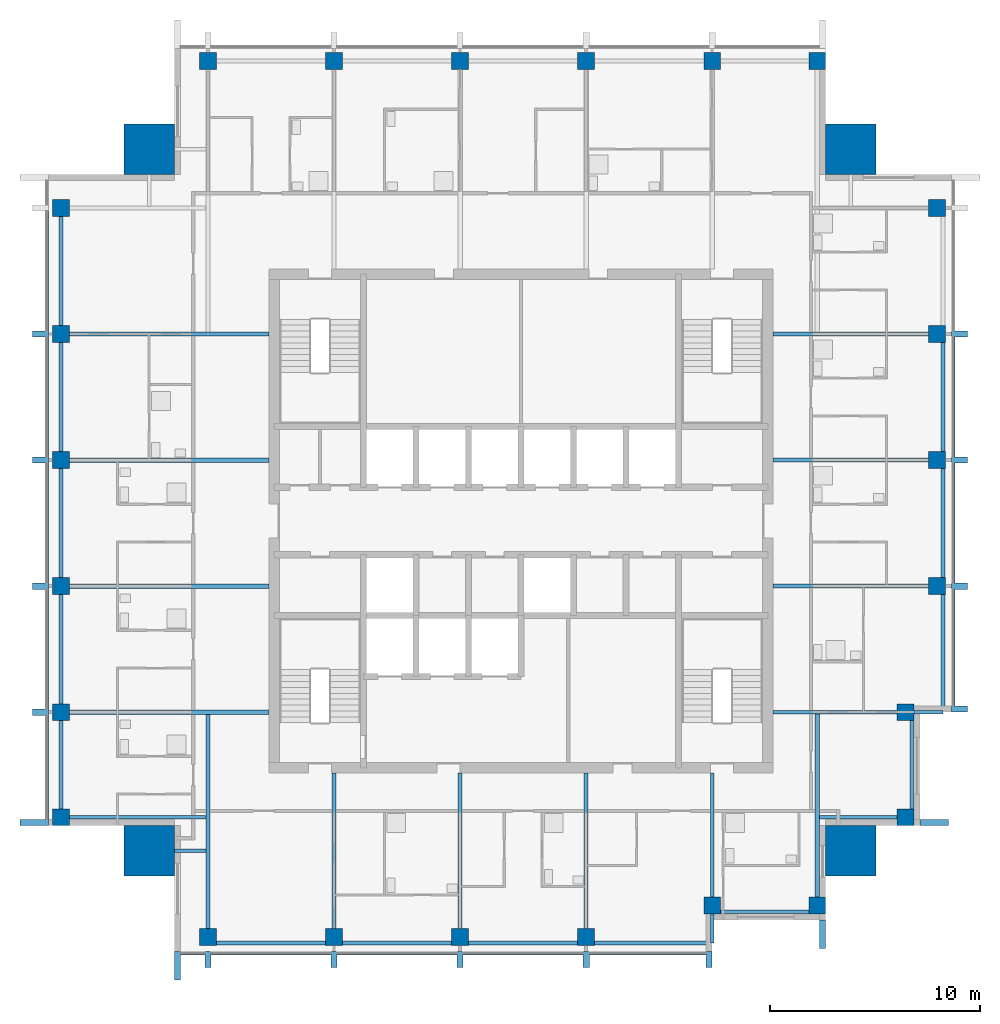
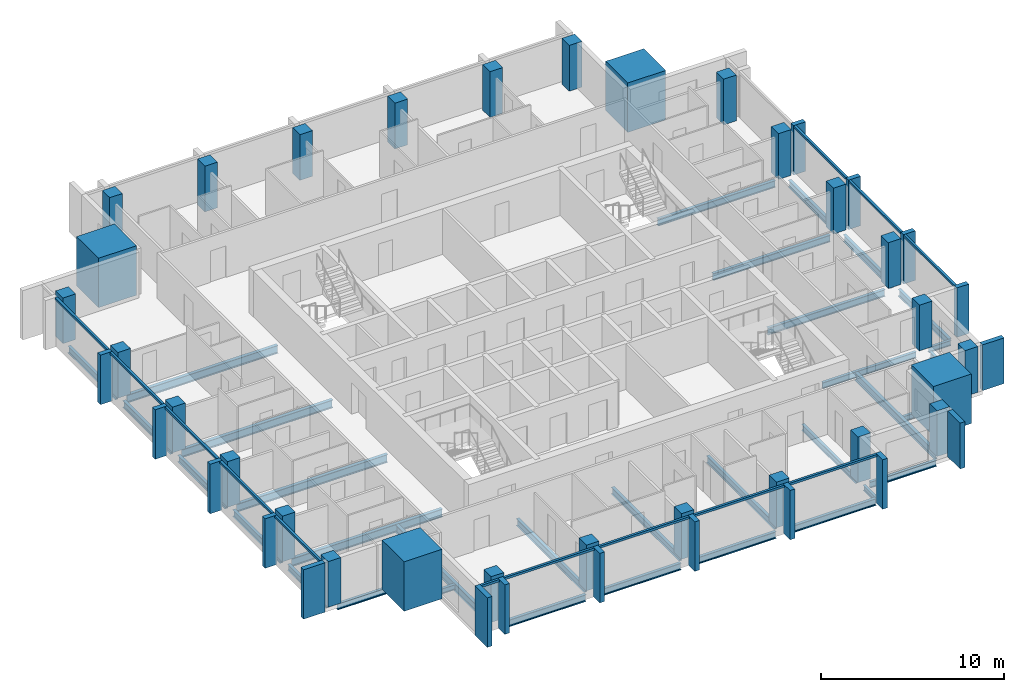
# One storey, part 1 of 9: 33 beams, 30 members, 28 columns, 3 elements without a shape of their own.
"""IFC4 building model written with IfcOpenShell, lengths in metres."""

from ifc_helpers import new_model, si_unit, direction, frame, origin, origin_2d, place, context, subcontext, project, spatial, rectangle, i_section, extrude, material, material_profile, profile_set, type_object, element, aggregate, save


model = new_model("IFC4")

# Units and contexts
model_context = context("Model", 3, precision=1e-05, world=origin(), true_north=direction((0.0, 1.0)))
body_context = subcontext(model_context, "Body", "Model", "MODEL_VIEW")
ifc_project = project(units=[si_unit("LENGTHUNIT", "METRE"), si_unit("AREAUNIT", "SQUARE_METRE"), si_unit("VOLUMEUNIT", "CUBIC_METRE"), si_unit("PLANEANGLEUNIT", "RADIAN"), si_unit("MASSUNIT", "GRAM", prefix="KILO")], contexts=[model_context])

# Site, building, storey
site_placement = place(None, origin())
site = spatial("IfcSite", under=ifc_project, at=site_placement, CompositionType="ELEMENT")
building_placement = place(site_placement, origin())
building = spatial("IfcBuilding", under=site, at=building_placement, Name="Amberfall Residences", CompositionType="ELEMENT")
storey_placement = place(building_placement, frame((0.0, 0.0, 242.199951171875)))
storey = spatial("IfcBuildingStorey", under=building, at=storey_placement, Name="L64", CompositionType="ELEMENT", Elevation=242.199951171875)

# Columns
ifc_material_1 = material(Name="Concrete C50", Category="concrete")
ifc_material_profile_1 = material_profile(ifc_material_1, rectangle(XDim=0.800048828125, YDim=0.800048828125, at=origin_2d()), Name="Column 800 x 800 C50")
ifc_profile_set_1 = profile_set([ifc_material_profile_1], Name="Concrete C50")
column_type_1 = type_object("IfcColumnType", Name="Column 800 x 800 C50", PredefinedType="COLUMN", material=ifc_profile_set_1)
for number, where, z_axis, x_axis, name in (
    (1, (59.60009765625, 25.699951171875, 0.0), (0.0, 0.0, 1.0), (1.0, 0.0, 0.0), "Column C5 L64 S1"),
    (2, (65.60009765625, 25.699951171875, 0.0), (0.0, 0.0, 1.0), (1.0, 0.0, 0.0), "Column C5 L64 S2"),
    (3, (71.60009765625, 25.699951171875, 0.0), (0.0, 0.0, 1.0), (1.0, 0.0, 0.0), "Column C5 L64 S3"),
    (4, (77.60009765625, 25.699951171875, 0.0), (0.0, 0.0, 1.0), (1.0, 0.0, 0.0), "Column C5 L64 S4"),
    (5, (83.60009765625, 27.199951171875, 0.0), (0.0, 0.0, 1.0), (1.0, 0.0, 0.0), "Column C5 L64 S5"),
    (6, (88.60009765625, 27.199951171875, 0.0), (0.0, 0.0, 1.0), (1.0, 0.0, 0.0), "Column C5 L64 S6"),
    (7, (92.800048828125, 31.39990234375, 0.0), (0.0, 0.0, 1.0), (1.0, 0.0, 0.0), "Column C5 L64 E1"),
    (8, (92.800048828125, 36.39990234375, 0.0), (0.0, 0.0, 1.0), (1.0, 0.0, 0.0), "Column C5 L64 E2"),
    (9, (94.300048828125, 42.39990234375, 0.0), (0.0, 0.0, 1.0), (1.0, 0.0, 0.0), "Column C5 L64 E3"),
    (10, (94.300048828125, 48.39990234375, 0.0), (0.0, 0.0, 1.0), (1.0, 0.0, 0.0), "Column C5 L64 E4"),
    (11, (94.300048828125, 54.39990234375, 0.0), (0.0, 0.0, 1.0), (1.0, 0.0, 0.0), "Column C5 L64 E5"),
    (12, (94.300048828125, 60.39990234375, 0.0), (0.0, 0.0, 1.0), (1.0, 0.0, 0.0), "Column C5 L64 E6"),
    (13, (59.60009765625, 67.39990234375, 0.0), (0.0, 0.0, 1.0), (1.0, 0.0, 0.0), "Column C5 L64 N1"),
    (14, (65.60009765625, 67.39990234375, 0.0), (0.0, 0.0, 1.0), (1.0, 0.0, 0.0), "Column C5 L64 N2"),
    (15, (71.60009765625, 67.39990234375, 0.0), (0.0, 0.0, 1.0), (1.0, 0.0, 0.0), "Column C5 L64 N3"),
    (16, (77.60009765625, 67.39990234375, 0.0), (0.0, 0.0, 1.0), (1.0, 0.0, 0.0), "Column C5 L64 N4"),
    (17, (83.60009765625, 67.39990234375, 0.0), (0.0, 0.0, 1.0), (1.0, 0.0, 0.0), "Column C5 L64 N5"),
    (18, (88.60009765625, 67.39990234375, 0.0), (0.0, 0.0, 1.0), (1.0, 0.0, 0.0), "Column C5 L64 N6"),
    (19, (52.60009765625, 31.39990234375, 0.0), (0.0, 0.0, 1.0), (1.0, 0.0, 0.0), "Column C5 L64 W1"),
    (20, (52.60009765625, 36.39990234375, 0.0), (0.0, 0.0, 1.0), (1.0, 0.0, 0.0), "Column C5 L64 W2"),
    (21, (52.60009765625, 42.39990234375, 0.0), (0.0, 0.0, 1.0), (1.0, 0.0, 0.0), "Column C5 L64 W3"),
    (22, (52.60009765625, 48.39990234375, 0.0), (0.0, 0.0, 1.0), (1.0, 0.0, 0.0), "Column C5 L64 W4"),
    (23, (52.60009765625, 54.39990234375, 0.0), (0.0, 0.0, 1.0), (1.0, 0.0, 0.0), "Column C5 L64 W5"),
    (24, (52.60009765625, 60.39990234375, 0.0), (0.0, 0.0, 1.0), (1.0, 0.0, 0.0), "Column C5 L64 W6"),
):
    element("IfcColumn", number, at=place(storey_placement, frame(where, z_axis=z_axis, x_axis=x_axis)), inside=storey, type_object=column_type_1, Name=name, PredefinedType="COLUMN", context=body_context, shape_type="SweptSolid", body=[
        extrude(rectangle(XDim=0.800048828125, YDim=0.800048828125, at=origin_2d()), origin(), (0.0, 0.0, 1.0), 3.050048828125),
    ])
ifc_material_profile_2 = material_profile(ifc_material_1, rectangle(XDim=2.39990234375, YDim=2.39990234375, at=origin_2d()), Name="Mega column 2400 x 2400 C50")
ifc_profile_set_2 = profile_set([ifc_material_profile_2], Name="Concrete C50")
column_type_2 = type_object("IfcColumnType", Name="Mega column 2400 x 2400 C50", PredefinedType="COLUMN", material=ifc_profile_set_2)
for number, where, z_axis, x_axis, name in (
    (25, (56.800048828125, 29.800048828125, 0.0), (0.0, 0.0, 1.0), (1.0, 0.0, 0.0), "Mega column MC11 L64 SW"),
    (26, (90.199951171875, 29.800048828125, 0.0), (0.0, 0.0, 1.0), (1.0, 0.0, 0.0), "Mega column MC11 L64 SE"),
    (27, (90.199951171875, 63.199951171875, 0.0), (0.0, 0.0, 1.0), (1.0, 0.0, 0.0), "Mega column MC11 L64 NE"),
    (28, (56.800048828125, 63.199951171875, 0.0), (0.0, 0.0, 1.0), (1.0, 0.0, 0.0), "Mega column MC11 L64 NW"),
):
    element("IfcColumn", number, at=place(storey_placement, frame(where, z_axis=z_axis, x_axis=x_axis)), inside=storey, type_object=column_type_2, Name=name, PredefinedType="COLUMN", context=body_context, shape_type="SweptSolid", body=[
        extrude(rectangle(XDim=2.39990234375, YDim=2.39990234375, at=origin_2d()), origin(), (0.0, 0.0, 1.0), 3.300048828125),
    ])

# Curtain wall, members
ifc_material_2 = material(Name="Bronze anodised aluminium and glass", Category="aluminium")
curtain_wall_type = type_object("IfcCurtainWallType", Name="Curtain wall CW1 tower unit", PredefinedType="USERDEFINED", material=ifc_material_2)
curtain_wall_1_placement = place(storey_placement, origin())
curtain_wall_1 = element("IfcCurtainWall", 29, at=curtain_wall_1_placement, inside=storey, type_object=curtain_wall_type, Name="Curtain wall L64 S S1", ObjectType="UNITISED CURTAIN WALL", PredefinedType="USERDEFINED")
ifc_material_3 = material(Name="Bronze anodised aluminium", Category="aluminium")
ifc_material_profile_3 = material_profile(ifc_material_3, rectangle(XDim=0.14990234375, YDim=0.14990234375, at=origin_2d()), Name="CW1 transom 150 x 150 bronze")
ifc_profile_set_3 = profile_set([ifc_material_profile_3], Name="Bronze anodised aluminium")
member_type_1 = type_object("IfcMemberType", Name="CW1 transom 150 x 150 bronze", PredefinedType="USERDEFINED", material=ifc_profile_set_3)
member_1_placement = place(storey_placement, frame((58.300048828125, 24.925048828125, 2.97509765625), z_axis=(1.0, 0.0, 0.0), x_axis=(0.0, 1.0, 0.0)))
member_1 = element("IfcMember", 30, at=member_1_placement, type_object=member_type_1, Name="CW1 transom 1.1", ObjectType="TRANSOM", PredefinedType="USERDEFINED", context=body_context, shape_type="SweptSolid", body=[
    extrude(rectangle(XDim=0.14990234375, YDim=0.14990234375, at=origin_2d()), origin(), (0.0, 0.0, 1.0), 1.14990234375),
])
member_2_placement = place(storey_placement, frame((59.75, 24.925048828125, 2.97509765625), z_axis=(1.0, 0.0, 0.0), x_axis=(0.0, 1.0, 0.0)))
member_2 = element("IfcMember", 31, at=member_2_placement, type_object=member_type_1, Name="CW1 transom 2.1", ObjectType="TRANSOM", PredefinedType="USERDEFINED", context=body_context, shape_type="SweptSolid", body=[
    extrude(rectangle(XDim=0.14990234375, YDim=0.14990234375, at=origin_2d()), origin(), (0.0, 0.0, 1.0), 5.699951171875),
])
member_3_placement = place(storey_placement, frame((65.75, 24.925048828125, 2.97509765625), z_axis=(1.0, 0.0, 0.0), x_axis=(0.0, 1.0, 0.0)))
member_3 = element("IfcMember", 32, at=member_3_placement, type_object=member_type_1, Name="CW1 transom 3.1", ObjectType="TRANSOM", PredefinedType="USERDEFINED", context=body_context, shape_type="SweptSolid", body=[
    extrude(rectangle(XDim=0.14990234375, YDim=0.14990234375, at=origin_2d()), origin(), (0.0, 0.0, 1.0), 5.699951171875),
])
member_4_placement = place(storey_placement, frame((71.75, 24.925048828125, 2.97509765625), z_axis=(1.0, 0.0, 0.0), x_axis=(0.0, 1.0, 0.0)))
member_4 = element("IfcMember", 33, at=member_4_placement, type_object=member_type_1, Name="CW1 transom 4.1", ObjectType="TRANSOM", PredefinedType="USERDEFINED", context=body_context, shape_type="SweptSolid", body=[
    extrude(rectangle(XDim=0.14990234375, YDim=0.14990234375, at=origin_2d()), origin(), (0.0, 0.0, 1.0), 5.699951171875),
])
member_5_placement = place(storey_placement, frame((77.75, 24.925048828125, 2.97509765625), z_axis=(1.0, 0.0, 0.0), x_axis=(0.0, 1.0, 0.0)))
member_5 = element("IfcMember", 34, at=member_5_placement, type_object=member_type_1, Name="CW1 transom 5.1", ObjectType="TRANSOM", PredefinedType="USERDEFINED", context=body_context, shape_type="SweptSolid", body=[
    extrude(rectangle(XDim=0.14990234375, YDim=0.14990234375, at=origin_2d()), origin(), (0.0, 0.0, 1.0), 5.550048828125),
])

curtain_wall_2_placement = place(storey_placement, origin())
curtain_wall_2 = element("IfcCurtainWall", 35, at=curtain_wall_2_placement, inside=storey, type_object=curtain_wall_type, Name="Curtain wall L64 E E3", ObjectType="UNITISED CURTAIN WALL", PredefinedType="USERDEFINED")
member_6_placement = place(storey_placement, frame((95.074951171875, 36.699951171875, 2.97509765625), z_axis=(0.0, 1.0, 0.0), x_axis=(-1.0, 0.0, 0.0)))
member_6 = element("IfcMember", 36, at=member_6_placement, type_object=member_type_1, Name="CW1 transom 1.1", ObjectType="TRANSOM", PredefinedType="USERDEFINED", context=body_context, shape_type="SweptSolid", body=[
    extrude(rectangle(XDim=0.14990234375, YDim=0.14990234375, at=origin_2d()), origin(), (0.0, 0.0, 1.0), 5.550048828125),
])
member_7_placement = place(storey_placement, frame((95.074951171875, 42.550048828125, 2.97509765625), z_axis=(0.0, 1.0, 0.0), x_axis=(-1.0, 0.0, 0.0)))
member_7 = element("IfcMember", 37, at=member_7_placement, type_object=member_type_1, Name="CW1 transom 2.1", ObjectType="TRANSOM", PredefinedType="USERDEFINED", context=body_context, shape_type="SweptSolid", body=[
    extrude(rectangle(XDim=0.14990234375, YDim=0.14990234375, at=origin_2d()), origin(), (0.0, 0.0, 1.0), 5.699951171875),
])
member_8_placement = place(storey_placement, frame((95.074951171875, 48.550048828125, 2.97509765625), z_axis=(0.0, 1.0, 0.0), x_axis=(-1.0, 0.0, 0.0)))
member_8 = element("IfcMember", 38, at=member_8_placement, type_object=member_type_1, Name="CW1 transom 3.1", ObjectType="TRANSOM", PredefinedType="USERDEFINED", context=body_context, shape_type="SweptSolid", body=[
    extrude(rectangle(XDim=0.14990234375, YDim=0.14990234375, at=origin_2d()), origin(), (0.0, 0.0, 1.0), 5.699951171875),
])

curtain_wall_3_placement = place(storey_placement, origin())
curtain_wall_3 = element("IfcCurtainWall", 39, at=curtain_wall_3_placement, inside=storey, type_object=curtain_wall_type, Name="Curtain wall L64 W W1", ObjectType="UNITISED CURTAIN WALL", PredefinedType="USERDEFINED")
member_9_placement = place(storey_placement, frame((51.925048828125, 60.25, 2.97509765625), z_axis=(0.0, -1.0, 0.0), x_axis=(1.0, 0.0, 0.0)))
member_9 = element("IfcMember", 40, at=member_9_placement, type_object=member_type_1, Name="CW1 transom 2.1", ObjectType="TRANSOM", PredefinedType="USERDEFINED", context=body_context, shape_type="SweptSolid", body=[
    extrude(rectangle(XDim=0.14990234375, YDim=0.14990234375, at=origin_2d()), origin(), (0.0, 0.0, 1.0), 5.699951171875),
])
member_10_placement = place(storey_placement, frame((51.925048828125, 54.25, 2.97509765625), z_axis=(0.0, -1.0, 0.0), x_axis=(1.0, 0.0, 0.0)))
member_10 = element("IfcMember", 41, at=member_10_placement, type_object=member_type_1, Name="CW1 transom 3.1", ObjectType="TRANSOM", PredefinedType="USERDEFINED", context=body_context, shape_type="SweptSolid", body=[
    extrude(rectangle(XDim=0.14990234375, YDim=0.14990234375, at=origin_2d()), origin(), (0.0, 0.0, 1.0), 5.699951171875),
])
member_11_placement = place(storey_placement, frame((51.925048828125, 48.25, 2.97509765625), z_axis=(0.0, -1.0, 0.0), x_axis=(1.0, 0.0, 0.0)))
member_11 = element("IfcMember", 42, at=member_11_placement, type_object=member_type_1, Name="CW1 transom 4.1", ObjectType="TRANSOM", PredefinedType="USERDEFINED", context=body_context, shape_type="SweptSolid", body=[
    extrude(rectangle(XDim=0.14990234375, YDim=0.14990234375, at=origin_2d()), origin(), (0.0, 0.0, 1.0), 5.699951171875),
])
member_12_placement = place(storey_placement, frame((51.925048828125, 42.25, 2.97509765625), z_axis=(0.0, -1.0, 0.0), x_axis=(1.0, 0.0, 0.0)))
member_12 = element("IfcMember", 43, at=member_12_placement, type_object=member_type_1, Name="CW1 transom 5.1", ObjectType="TRANSOM", PredefinedType="USERDEFINED", context=body_context, shape_type="SweptSolid", body=[
    extrude(rectangle(XDim=0.14990234375, YDim=0.14990234375, at=origin_2d()), origin(), (0.0, 0.0, 1.0), 5.699951171875),
])
member_13_placement = place(storey_placement, frame((51.925048828125, 36.25, 2.97509765625), z_axis=(0.0, -1.0, 0.0), x_axis=(1.0, 0.0, 0.0)))
member_13 = element("IfcMember", 44, at=member_13_placement, type_object=member_type_1, Name="CW1 transom 6.1", ObjectType="TRANSOM", PredefinedType="USERDEFINED", context=body_context, shape_type="SweptSolid", body=[
    extrude(rectangle(XDim=0.14990234375, YDim=0.14990234375, at=origin_2d()), origin(), (0.0, 0.0, 1.0), 4.949951171875),
])

# Beams
ifc_material_4 = material(Name="Steel S355", Category="steel")
ifc_material_profile_4 = material_profile(ifc_material_4, i_section(OverallWidth=0.171142578125, OverallDepth=0.351318359375, WebThickness=0.007080078125, FlangeThickness=0.009765625, FilletRadius=0.01025390625, at=origin_2d()), Name="UB 356x171x45")
ifc_profile_set_4 = profile_set([ifc_material_profile_4], Name="Steel S355")
beam_type_1 = type_object("IfcBeamType", Name="Cantilever girder UB 356x171x45", PredefinedType="BEAM", material=ifc_profile_set_4)
for number, where, z_axis, x_axis, name in (
    (45, (83.60009765625, 26.800048828125, -0.425537109375), (0.0, -1.0, 0.0), (1.0, 0.0, 0.0), "Cantilever girder B8 L64 06"),
    (46, (93.199951171875, 36.39990234375, -0.425537109375), (1.0, 0.0, 0.0), (0.0, 1.0, 0.0), "Cantilever girder B8 L64 18"),
):
    element("IfcBeam", number, at=place(storey_placement, frame(where, z_axis=z_axis, x_axis=x_axis)), inside=storey, type_object=beam_type_1, Name=name, PredefinedType="BEAM", context=body_context, shape_type="SweptSolid", body=[
        extrude(i_section(OverallWidth=0.171142578125, OverallDepth=0.351318359375, WebThickness=0.007080078125, FlangeThickness=0.009765625, FilletRadius=0.01025390625, at=origin_2d()), origin(), (0.0, 0.0, 1.0), 1.400146484375),
    ])

# Member
ifc_material_profile_5 = material_profile(ifc_material_3, rectangle(XDim=1.35009765625, YDim=0.300048828125, at=origin_2d()), Name="Corner fin 300 x 1350 bronze")
ifc_profile_set_5 = profile_set([ifc_material_profile_5], Name="Bronze anodised aluminium")
member_type_2 = type_object("IfcMemberType", Name="Corner fin 300 x 1350 bronze", PredefinedType="MULLION", material=ifc_profile_set_5)
member_14_placement = place(storey_placement, frame((58.14990234375, 24.324951171875, -0.25), z_axis=(0.0, 0.0, 1.0), x_axis=(0.0, 1.0, 0.0)))
member_14 = element("IfcMember", 47, at=member_14_placement, type_object=member_type_2, Name="CW FIN 1", PredefinedType="MULLION", context=body_context, shape_type="SweptSolid", body=[
    extrude(rectangle(XDim=1.35009765625, YDim=0.300048828125, at=origin_2d()), origin(), (0.0, 0.0, 1.0), 3.300048828125),
])

member_15_placement = place(storey_placement, frame((51.324951171875, 31.14990234375, -0.25), z_axis=(0.0, 0.0, 1.0), x_axis=(1.0, 0.0, 0.0)))
member_15 = element("IfcMember", 48, at=member_15_placement, type_object=member_type_2, Name="CW FIN 7", PredefinedType="MULLION", context=body_context, shape_type="SweptSolid", body=[
    extrude(rectangle(XDim=1.35009765625, YDim=0.300048828125, at=origin_2d()), origin(), (0.0, 0.0, 1.0), 3.300048828125),
])

# Beams
ifc_material_profile_6 = material_profile(ifc_material_4, i_section(OverallWidth=0.177734375, OverallDepth=0.402587890625, WebThickness=0.0078125, FlangeThickness=0.010986328125, FilletRadius=0.01025390625, at=origin_2d()), Name="UB 406x178x54")
ifc_profile_set_6 = profile_set([ifc_material_profile_6], Name="Steel S355")
beam_type_2 = type_object("IfcBeamType", Name="Edge beam UB 406x178x54", PredefinedType="SPANDREL", material=ifc_profile_set_6)
for number, where, z_axis, x_axis, name in (
    (49, (84.0, 26.89990234375, -0.451171875), (1.0, 0.0, 0.0), (0.0, 1.0, 0.0), "Edge beam B14 L64 05"),
    (50, (93.10009765625, 31.800048828125, -0.451171875), (0.0, 1.0, 0.0), (-1.0, 0.0, 0.0), "Edge beam B14 L64 13"),
    (51, (52.60009765625, 31.800048828125, -0.451171875), (0.0, 1.0, 0.0), (-1.0, 0.0, 0.0), "Edge beam B14 L64 36"),
):
    element("IfcBeam", number, at=place(storey_placement, frame(where, z_axis=z_axis, x_axis=x_axis)), inside=storey, type_object=beam_type_2, Name=name, PredefinedType="SPANDREL", context=body_context, shape_type="SweptSolid", body=[
        extrude(i_section(OverallWidth=0.177734375, OverallDepth=0.402587890625, WebThickness=0.0078125, FlangeThickness=0.010986328125, FilletRadius=0.01025390625, at=origin_2d()), origin(), (0.0, 0.0, 1.0), 4.199951171875),
    ])
ifc_material_profile_7 = material_profile(ifc_material_4, i_section(OverallWidth=0.18994140625, OverallDepth=0.453369140625, WebThickness=0.008544921875, FlangeThickness=0.0126953125, FilletRadius=0.01025390625, at=origin_2d()), Name="UB 457x191x67")
ifc_profile_set_7 = profile_set([ifc_material_profile_7], Name="Steel S355")
beam_type_3 = type_object("IfcBeamType", Name="Edge beam UB 457x191x67", PredefinedType="SPANDREL", material=ifc_profile_set_7)
for number, where, z_axis, x_axis, name in (
    (52, (60.0, 25.39990234375, -0.4765625), (1.0, 0.0, 0.0), (0.0, 1.0, 0.0), "Edge beam B1 L64 01"),
    (53, (66.0, 25.39990234375, -0.4765625), (1.0, 0.0, 0.0), (0.0, 1.0, 0.0), "Edge beam B1 L64 02"),
    (54, (72.0, 25.39990234375, -0.4765625), (1.0, 0.0, 0.0), (0.0, 1.0, 0.0), "Edge beam B1 L64 03"),
):
    element("IfcBeam", number, at=place(storey_placement, frame(where, z_axis=z_axis, x_axis=x_axis)), inside=storey, type_object=beam_type_3, Name=name, PredefinedType="SPANDREL", context=body_context, shape_type="SweptSolid", body=[
        extrude(i_section(OverallWidth=0.18994140625, OverallDepth=0.453369140625, WebThickness=0.008544921875, FlangeThickness=0.0126953125, FilletRadius=0.01025390625, at=origin_2d()), origin(), (0.0, 0.0, 1.0), 5.199951171875),
    ])
for number, where, z_axis, x_axis, name in (
    (55, (78.0, 25.39990234375, -0.4765625), (1.0, 0.0, 0.0), (0.0, 1.0, 0.0), "Edge beam B1 L64 04"),
    (56, (94.60009765625, 36.47998046875, -0.4765625), (0.0, 1.0, 0.0), (-1.0, 0.0, 0.0), "Edge beam B1 L64 14"),
):
    element("IfcBeam", number, at=place(storey_placement, frame(where, z_axis=z_axis, x_axis=x_axis)), inside=storey, type_object=beam_type_3, Name=name, PredefinedType="SPANDREL", context=body_context, shape_type="SweptSolid", body=[
        extrude(i_section(OverallWidth=0.18994140625, OverallDepth=0.453369140625, WebThickness=0.008544921875, FlangeThickness=0.0126953125, FilletRadius=0.01025390625, at=origin_2d()), origin(), (0.0, 0.0, 1.0), 5.52001953125),
    ])
for number, where, z_axis, x_axis, name in (
    (57, (94.60009765625, 42.800048828125, -0.4765625), (0.0, 1.0, 0.0), (-1.0, 0.0, 0.0), "Edge beam B1 L64 15"),
    (58, (94.60009765625, 48.800048828125, -0.4765625), (0.0, 1.0, 0.0), (-1.0, 0.0, 0.0), "Edge beam B1 L64 16"),
    (59, (52.60009765625, 36.800048828125, -0.4765625), (0.0, 1.0, 0.0), (-1.0, 0.0, 0.0), "Edge beam B1 L64 37"),
    (60, (52.60009765625, 42.800048828125, -0.4765625), (0.0, 1.0, 0.0), (-1.0, 0.0, 0.0), "Edge beam B1 L64 38"),
    (61, (52.60009765625, 48.800048828125, -0.4765625), (0.0, 1.0, 0.0), (-1.0, 0.0, 0.0), "Edge beam B1 L64 39"),
    (62, (52.60009765625, 54.800048828125, -0.4765625), (0.0, 1.0, 0.0), (-1.0, 0.0, 0.0), "Edge beam B1 L64 40"),
):
    element("IfcBeam", number, at=place(storey_placement, frame(where, z_axis=z_axis, x_axis=x_axis)), inside=storey, type_object=beam_type_3, Name=name, PredefinedType="SPANDREL", context=body_context, shape_type="SweptSolid", body=[
        extrude(i_section(OverallWidth=0.18994140625, OverallDepth=0.453369140625, WebThickness=0.008544921875, FlangeThickness=0.0126953125, FilletRadius=0.01025390625, at=origin_2d()), origin(), (0.0, 0.0, 1.0), 5.199951171875),
    ])

# Member
ifc_material_profile_8 = material_profile(ifc_material_3, rectangle(XDim=0.75, YDim=0.300048828125, at=origin_2d()), Name="Fin 300 x 750 bronze")
ifc_profile_set_8 = profile_set([ifc_material_profile_8], Name="Bronze anodised aluminium")
member_type_3 = type_object("IfcMemberType", Name="Fin 300 x 750 bronze", PredefinedType="MULLION", material=ifc_profile_set_8)
member_16_placement = place(storey_placement, frame((59.60009765625, 24.625, -0.25), z_axis=(0.0, 0.0, 1.0), x_axis=(0.0, 1.0, 0.0)))
member_16 = element("IfcMember", 63, at=member_16_placement, type_object=member_type_3, Name="CW FIN 2", PredefinedType="MULLION", context=body_context, shape_type="SweptSolid", body=[
    extrude(rectangle(XDim=0.75, YDim=0.300048828125, at=origin_2d()), origin(), (0.0, 0.0, 1.0), 3.300048828125),
])

member_17_placement = place(storey_placement, frame((65.60009765625, 24.625, -0.25), z_axis=(0.0, 0.0, 1.0), x_axis=(0.0, 1.0, 0.0)))
member_17 = element("IfcMember", 64, at=member_17_placement, type_object=member_type_3, Name="CW FIN 3", PredefinedType="MULLION", context=body_context, shape_type="SweptSolid", body=[
    extrude(rectangle(XDim=0.75, YDim=0.300048828125, at=origin_2d()), origin(), (0.0, 0.0, 1.0), 3.300048828125),
])

member_18_placement = place(storey_placement, frame((71.60009765625, 24.625, -0.25), z_axis=(0.0, 0.0, 1.0), x_axis=(0.0, 1.0, 0.0)))
member_18 = element("IfcMember", 65, at=member_18_placement, type_object=member_type_3, Name="CW FIN 4", PredefinedType="MULLION", context=body_context, shape_type="SweptSolid", body=[
    extrude(rectangle(XDim=0.75, YDim=0.300048828125, at=origin_2d()), origin(), (0.0, 0.0, 1.0), 3.300048828125),
])

member_19_placement = place(storey_placement, frame((77.60009765625, 24.625, -0.25), z_axis=(0.0, 0.0, 1.0), x_axis=(0.0, 1.0, 0.0)))
member_19 = element("IfcMember", 66, at=member_19_placement, type_object=member_type_3, Name="CW FIN 5", PredefinedType="MULLION", context=body_context, shape_type="SweptSolid", body=[
    extrude(rectangle(XDim=0.75, YDim=0.300048828125, at=origin_2d()), origin(), (0.0, 0.0, 1.0), 3.300048828125),
])

member_20_placement = place(storey_placement, frame((83.449951171875, 24.625, -0.25), z_axis=(0.0, 0.0, 1.0), x_axis=(0.0, 1.0, 0.0)))
member_20 = element("IfcMember", 67, at=member_20_placement, type_object=member_type_3, Name="CW FIN 6", PredefinedType="MULLION", context=body_context, shape_type="SweptSolid", body=[
    extrude(rectangle(XDim=0.75, YDim=0.300048828125, at=origin_2d()), origin(), (0.0, 0.0, 1.0), 3.300048828125),
])

aggregate(curtain_wall_1, [member_14, member_16, member_17, member_18, member_19, member_20, member_1, member_2, member_3, member_4, member_5])

member_21_placement = place(storey_placement, frame((95.375, 36.550048828125, -0.25), z_axis=(0.0, 0.0, 1.0), x_axis=(-1.0, 0.0, 0.0)))
member_21 = element("IfcMember", 68, at=member_21_placement, type_object=member_type_3, Name="CW FIN 1", PredefinedType="MULLION", context=body_context, shape_type="SweptSolid", body=[
    extrude(rectangle(XDim=0.75, YDim=0.300048828125, at=origin_2d()), origin(), (0.0, 0.0, 1.0), 3.300048828125),
])

member_22_placement = place(storey_placement, frame((95.375, 42.39990234375, -0.25), z_axis=(0.0, 0.0, 1.0), x_axis=(-1.0, 0.0, 0.0)))
member_22 = element("IfcMember", 69, at=member_22_placement, type_object=member_type_3, Name="CW FIN 2", PredefinedType="MULLION", context=body_context, shape_type="SweptSolid", body=[
    extrude(rectangle(XDim=0.75, YDim=0.300048828125, at=origin_2d()), origin(), (0.0, 0.0, 1.0), 3.300048828125),
])

member_23_placement = place(storey_placement, frame((95.375, 48.39990234375, -0.25), z_axis=(0.0, 0.0, 1.0), x_axis=(-1.0, 0.0, 0.0)))
member_23 = element("IfcMember", 70, at=member_23_placement, type_object=member_type_3, Name="CW FIN 3", PredefinedType="MULLION", context=body_context, shape_type="SweptSolid", body=[
    extrude(rectangle(XDim=0.75, YDim=0.300048828125, at=origin_2d()), origin(), (0.0, 0.0, 1.0), 3.300048828125),
])

member_24_placement = place(storey_placement, frame((95.375, 54.39990234375, -0.25), z_axis=(0.0, 0.0, 1.0), x_axis=(-1.0, 0.0, 0.0)))
member_24 = element("IfcMember", 71, at=member_24_placement, type_object=member_type_3, Name="CW FIN 4", PredefinedType="MULLION", context=body_context, shape_type="SweptSolid", body=[
    extrude(rectangle(XDim=0.75, YDim=0.300048828125, at=origin_2d()), origin(), (0.0, 0.0, 1.0), 3.300048828125),
])

aggregate(curtain_wall_2, [member_21, member_22, member_23, member_24, member_6, member_7, member_8])

member_25_placement = place(storey_placement, frame((51.625, 54.39990234375, -0.25), z_axis=(0.0, 0.0, 1.0), x_axis=(1.0, 0.0, 0.0)))
member_25 = element("IfcMember", 72, at=member_25_placement, type_object=member_type_3, Name="CW FIN 3", PredefinedType="MULLION", context=body_context, shape_type="SweptSolid", body=[
    extrude(rectangle(XDim=0.75, YDim=0.300048828125, at=origin_2d()), origin(), (0.0, 0.0, 1.0), 3.300048828125),
])

member_26_placement = place(storey_placement, frame((51.625, 48.39990234375, -0.25), z_axis=(0.0, 0.0, 1.0), x_axis=(1.0, 0.0, 0.0)))
member_26 = element("IfcMember", 73, at=member_26_placement, type_object=member_type_3, Name="CW FIN 4", PredefinedType="MULLION", context=body_context, shape_type="SweptSolid", body=[
    extrude(rectangle(XDim=0.75, YDim=0.300048828125, at=origin_2d()), origin(), (0.0, 0.0, 1.0), 3.300048828125),
])

member_27_placement = place(storey_placement, frame((51.625, 42.39990234375, -0.25), z_axis=(0.0, 0.0, 1.0), x_axis=(1.0, 0.0, 0.0)))
member_27 = element("IfcMember", 74, at=member_27_placement, type_object=member_type_3, Name="CW FIN 5", PredefinedType="MULLION", context=body_context, shape_type="SweptSolid", body=[
    extrude(rectangle(XDim=0.75, YDim=0.300048828125, at=origin_2d()), origin(), (0.0, 0.0, 1.0), 3.300048828125),
])

member_28_placement = place(storey_placement, frame((51.625, 36.39990234375, -0.25), z_axis=(0.0, 0.0, 1.0), x_axis=(1.0, 0.0, 0.0)))
member_28 = element("IfcMember", 75, at=member_28_placement, type_object=member_type_3, Name="CW FIN 6", PredefinedType="MULLION", context=body_context, shape_type="SweptSolid", body=[
    extrude(rectangle(XDim=0.75, YDim=0.300048828125, at=origin_2d()), origin(), (0.0, 0.0, 1.0), 3.300048828125),
])

aggregate(curtain_wall_3, [member_25, member_26, member_27, member_28, member_15, member_9, member_10, member_11, member_12, member_13])

# Beams
ifc_material_profile_9 = material_profile(ifc_material_4, i_section(OverallWidth=0.171142578125, OverallDepth=0.351318359375, WebThickness=0.007080078125, FlangeThickness=0.009765625, FilletRadius=0.01025390625, at=origin_2d()), Name="UB 356x171x45")
ifc_profile_set_9 = profile_set([ifc_material_profile_9], Name="Steel S355")
beam_type_4 = type_object("IfcBeamType", Name="Floor girder UB 356x171x45", PredefinedType="BEAM", material=ifc_profile_set_9)
beam_1_placement = place(storey_placement, frame((92.39990234375, 31.39990234375, -0.425537109375), z_axis=(-1.0, 0.0, 0.0), x_axis=(0.0, -1.0, 0.0)))
element("IfcBeam", 76, at=beam_1_placement, inside=storey, type_object=beam_type_4, Name="Floor girder B11 L64 19", PredefinedType="BEAM", context=body_context, shape_type="SweptSolid", body=[
    extrude(i_section(OverallWidth=0.171142578125, OverallDepth=0.351318359375, WebThickness=0.007080078125, FlangeThickness=0.009765625, FilletRadius=0.01025390625, at=origin_2d()), origin(), (0.0, 0.0, 1.0), 3.679931640625),
])
ifc_material_profile_10 = material_profile(ifc_material_4, i_section(OverallWidth=0.177734375, OverallDepth=0.402587890625, WebThickness=0.0078125, FlangeThickness=0.010986328125, FilletRadius=0.01025390625, at=origin_2d()), Name="UB 406x178x54")
ifc_profile_set_10 = profile_set([ifc_material_profile_10], Name="Steel S355")
beam_type_5 = type_object("IfcBeamType", Name="Floor girder UB 406x178x54", PredefinedType="BEAM", material=ifc_profile_set_10)
for number, where, z_axis, x_axis, name in (
    (77, (83.60009765625, 27.60009765625, -0.451171875), (0.0, 1.0, 0.0), (-1.0, 0.0, 0.0), "Floor girder B4 L64 11"),
    (78, (92.39990234375, 36.39990234375, -0.451171875), (-1.0, 0.0, 0.0), (0.0, -1.0, 0.0), "Floor girder B4 L64 20"),
):
    element("IfcBeam", number, at=place(storey_placement, frame(where, z_axis=z_axis, x_axis=x_axis)), inside=storey, type_object=beam_type_5, Name=name, PredefinedType="BEAM", context=body_context, shape_type="SweptSolid", body=[
        extrude(i_section(OverallWidth=0.177734375, OverallDepth=0.402587890625, WebThickness=0.0078125, FlangeThickness=0.010986328125, FilletRadius=0.01025390625, at=origin_2d()), origin(), (0.0, 0.0, 1.0), 5.89990234375),
    ])
beam_2_placement = place(storey_placement, frame((53.0, 31.39990234375, -0.451171875), z_axis=(1.0, 0.0, 0.0), x_axis=(0.0, 1.0, 0.0)))
element("IfcBeam", 79, at=beam_2_placement, inside=storey, type_object=beam_type_5, Name="Floor girder B4 L64 41", PredefinedType="BEAM", context=body_context, shape_type="SweptSolid", body=[
    extrude(i_section(OverallWidth=0.177734375, OverallDepth=0.402587890625, WebThickness=0.0078125, FlangeThickness=0.010986328125, FilletRadius=0.01025390625, at=origin_2d()), origin(), (0.0, 0.0, 1.0), 6.47998046875),
])
ifc_material_profile_11 = material_profile(ifc_material_4, i_section(OverallWidth=0.19140625, OverallDepth=0.4599609375, WebThickness=0.010009765625, FlangeThickness=0.01611328125, FilletRadius=0.01025390625, at=origin_2d()), Name="UB 457x191x82")
ifc_profile_set_11 = profile_set([ifc_material_profile_11], Name="Steel S355")
beam_type_6 = type_object("IfcBeamType", Name="Floor girder UB 457x191x82", PredefinedType="BEAM", material=ifc_profile_set_11)
for number, where, z_axis, x_axis, name in (
    (80, (65.60009765625, 26.10009765625, -0.47998046875), (0.0, 1.0, 0.0), (-1.0, 0.0, 0.0), "Floor girder B10 L64 08"),
    (81, (71.60009765625, 26.10009765625, -0.47998046875), (0.0, 1.0, 0.0), (-1.0, 0.0, 0.0), "Floor girder B10 L64 09"),
    (82, (77.60009765625, 26.10009765625, -0.47998046875), (0.0, 1.0, 0.0), (-1.0, 0.0, 0.0), "Floor girder B10 L64 10"),
    (83, (93.89990234375, 42.39990234375, -0.47998046875), (-1.0, 0.0, 0.0), (0.0, -1.0, 0.0), "Floor girder B10 L64 21"),
    (84, (93.89990234375, 48.39990234375, -0.47998046875), (-1.0, 0.0, 0.0), (0.0, -1.0, 0.0), "Floor girder B10 L64 22"),
    (85, (93.89990234375, 54.39990234375, -0.47998046875), (-1.0, 0.0, 0.0), (0.0, -1.0, 0.0), "Floor girder B10 L64 23"),
):
    element("IfcBeam", number, at=place(storey_placement, frame(where, z_axis=z_axis, x_axis=x_axis)), inside=storey, type_object=beam_type_6, Name=name, PredefinedType="BEAM", context=body_context, shape_type="SweptSolid", body=[
        extrude(i_section(OverallWidth=0.19140625, OverallDepth=0.4599609375, WebThickness=0.010009765625, FlangeThickness=0.01611328125, FilletRadius=0.01025390625, at=origin_2d()), origin(), (0.0, 0.0, 1.0), 7.39990234375),
    ])
ifc_material_profile_12 = material_profile(ifc_material_4, i_section(OverallWidth=0.209228515625, OverallDepth=0.533203125, WebThickness=0.010009765625, FlangeThickness=0.015625, FilletRadius=0.0126953125, at=origin_2d()), Name="UB 533x210x92")
ifc_profile_set_12 = profile_set([ifc_material_profile_12], Name="Steel S355")
beam_type_7 = type_object("IfcBeamType", Name="Floor girder UB 533x210x92", PredefinedType="BEAM", material=ifc_profile_set_12)
beam_3_placement = place(storey_placement, frame((59.60009765625, 26.10009765625, -0.5166015625), z_axis=(0.0, 1.0, 0.0), x_axis=(-1.0, 0.0, 0.0)))
element("IfcBeam", 86, at=beam_3_placement, inside=storey, type_object=beam_type_7, Name="Floor girder B3 L64 07", PredefinedType="BEAM", context=body_context, shape_type="SweptSolid", body=[
    extrude(i_section(OverallWidth=0.209228515625, OverallDepth=0.533203125, WebThickness=0.010009765625, FlangeThickness=0.015625, FilletRadius=0.0126953125, at=origin_2d()), origin(), (0.0, 0.0, 1.0), 10.2001953125),
])
beam_4_placement = place(storey_placement, frame((88.60009765625, 27.60009765625, -0.5166015625), z_axis=(0.0, 1.0, 0.0), x_axis=(-1.0, 0.0, 0.0)))
element("IfcBeam", 87, at=beam_4_placement, inside=storey, type_object=beam_type_7, Name="Floor girder B3 L64 12", PredefinedType="BEAM", context=body_context, shape_type="SweptSolid", body=[
    extrude(i_section(OverallWidth=0.209228515625, OverallDepth=0.533203125, WebThickness=0.010009765625, FlangeThickness=0.015625, FilletRadius=0.0126953125, at=origin_2d()), origin(), (0.0, 0.0, 1.0), 8.716064453125),
])
for number, where, z_axis, x_axis, name in (
    (88, (53.0, 36.39990234375, -0.5166015625), (1.0, 0.0, 0.0), (0.0, 1.0, 0.0), "Floor girder B3 L64 42"),
    (89, (53.0, 42.39990234375, -0.5166015625), (1.0, 0.0, 0.0), (0.0, 1.0, 0.0), "Floor girder B3 L64 43"),
    (90, (53.0, 48.39990234375, -0.5166015625), (1.0, 0.0, 0.0), (0.0, 1.0, 0.0), "Floor girder B3 L64 44"),
    (91, (53.0, 54.39990234375, -0.5166015625), (1.0, 0.0, 0.0), (0.0, 1.0, 0.0), "Floor girder B3 L64 45"),
):
    element("IfcBeam", number, at=place(storey_placement, frame(where, z_axis=z_axis, x_axis=x_axis)), inside=storey, type_object=beam_type_7, Name=name, PredefinedType="BEAM", context=body_context, shape_type="SweptSolid", body=[
        extrude(i_section(OverallWidth=0.209228515625, OverallDepth=0.533203125, WebThickness=0.010009765625, FlangeThickness=0.015625, FilletRadius=0.0126953125, at=origin_2d()), origin(), (0.0, 0.0, 1.0), 9.5),
    ])
ifc_material_profile_13 = material_profile(ifc_material_4, i_section(OverallWidth=0.171142578125, OverallDepth=0.351318359375, WebThickness=0.007080078125, FlangeThickness=0.009765625, FilletRadius=0.01025390625, at=origin_2d()), Name="UB 356x171x45")
ifc_profile_set_13 = profile_set([ifc_material_profile_13], Name="Steel S355")
beam_type_8 = type_object("IfcBeamType", Name="Link beam UB 356x171x45", PredefinedType="BEAM", material=ifc_profile_set_13)
beam_5_placement = place(storey_placement, frame((58.0, 29.800048828125, -0.425537109375), z_axis=(1.0, 0.0, 0.0), x_axis=(0.0, 1.0, 0.0)))
element("IfcBeam", 92, at=beam_5_placement, inside=storey, type_object=beam_type_8, Name="Link beam B7 L64 47", PredefinedType="BEAM", context=body_context, shape_type="SweptSolid", body=[
    extrude(i_section(OverallWidth=0.171142578125, OverallDepth=0.351318359375, WebThickness=0.007080078125, FlangeThickness=0.009765625, FilletRadius=0.01025390625, at=origin_2d()), origin(), (0.0, 0.0, 1.0), 1.50537109375),
])

# Members
ifc_material_profile_14 = material_profile(ifc_material_3, rectangle(XDim=1.35009765625, YDim=0.300048828125, at=origin_2d()), Name="Stone corner fin 300 x 1350 bronze")
ifc_profile_set_14 = profile_set([ifc_material_profile_14], Name="Bronze anodised aluminium")
member_type_4 = type_object("IfcMemberType", Name="Stone corner fin 300 x 1350 bronze", PredefinedType="MEMBER", material=ifc_profile_set_14)
for number, where, z_axis, x_axis, name in (
    (93, (88.85009765625, 25.824951171875, 0.0), (0.0, 0.0, 1.0), (0.0, 1.0, 0.0), "Corner fin S"),
    (94, (94.175048828125, 31.14990234375, 0.0), (0.0, 0.0, 1.0), (-1.0, 0.0, 0.0), "Corner fin E"),
):
    element("IfcMember", number, at=place(storey_placement, frame(where, z_axis=z_axis, x_axis=x_axis)), inside=storey, type_object=member_type_4, Name=name, PredefinedType="MEMBER", context=body_context, shape_type="SweptSolid", body=[
        extrude(rectangle(XDim=1.35009765625, YDim=0.300048828125, at=origin_2d()), origin(), (0.0, 0.0, 1.0), 3.050048828125),
    ])

save(model, "model.ifc")
